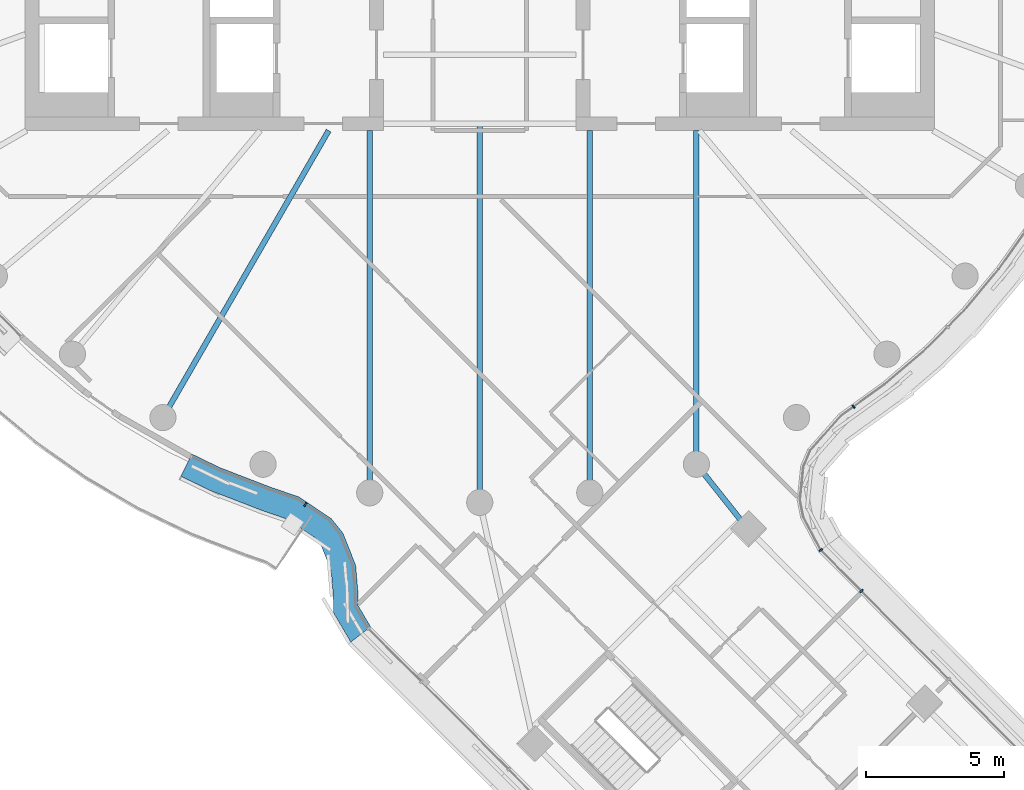
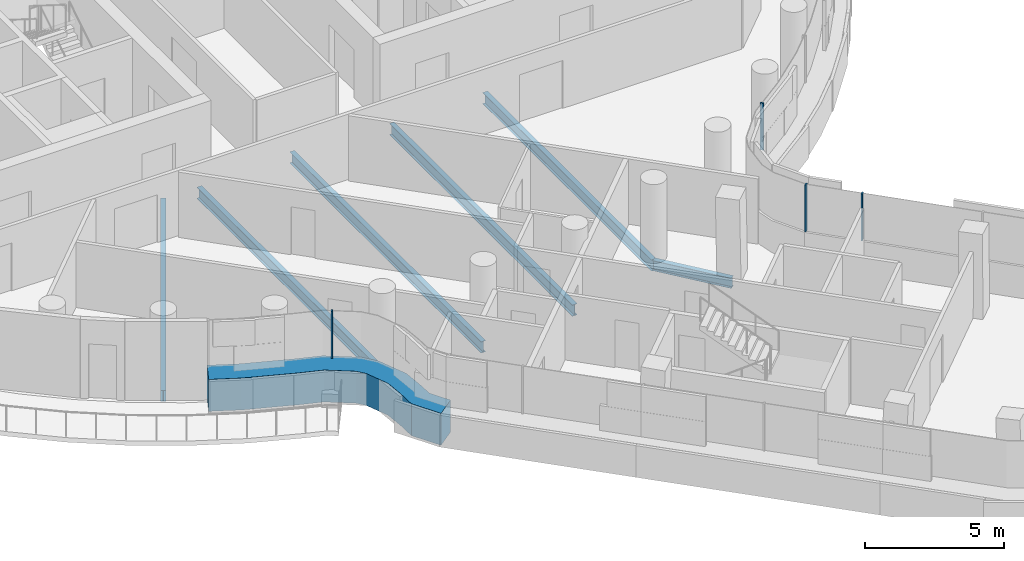
# One storey, part 6 of 31: 6 beams, 5 members, 3 elements without a shape of their own.
"""IFC4 building model written with IfcOpenShell, lengths in metres."""

import ifcopenshell
import ifcopenshell.guid

model = None  # the IFC model being written
_history = None  # IfcOwnerHistory: only IFC2X3 demands one
_inside = {}  # id of a spatial element -> (the spatial element, [elements in it])
_under = {}  # id of a project, library or spatial element -> (it, [spatial elements below it])
_declared = {}  # id of a project -> (the project, [libraries it declares])
_typed = {}  # id of a type object -> (the type object, [elements of that type])
_made_of = {}  # id of a material, layer set ... -> (it, [elements and type objects made of it])


def new_model(schema):
    """Start an empty IFC model of exactly this schema.

    Asked for "IFC4X3", IfcOpenShell would pick the latest addendum, in which some entities
    have other attributes; the version numbers below select the first issue.
    IFC2X3 requires an IfcOwnerHistory on every rooted entity: one is made here for all.
    """
    global model, _history
    if schema == "IFC4X3":
        model = ifcopenshell.file(schema_version=(4, 3, 0, 0))
    else:
        model = ifcopenshell.file(schema=schema)
    _inside.clear()
    _under.clear()
    _declared.clear()
    _typed.clear()
    _made_of.clear()
    _history = None
    if model.schema == "IFC2X3":
        org = make("IfcOrganization", Name="unknown")
        user = make(
            "IfcPersonAndOrganization",
            ThePerson=make("IfcPerson", FamilyName="unknown"),
            TheOrganization=org,
        )
        app = make(
            "IfcApplication",
            ApplicationDeveloper=org,
            Version="unknown",
            ApplicationFullName="unknown",
            ApplicationIdentifier="unknown",
        )
        _history = make(
            "IfcOwnerHistory",
            OwningUser=user,
            OwningApplication=app,
            ChangeAction="ADDED",
            CreationDate=0,
        )
    return model


def make(cls, **values):
    """One entity of the class cls with the attributes given. An attribute that is None is left unset."""
    return model.create_entity(
        cls, **{name: value for name, value in values.items() if value is not None}
    )


def rooted(cls, **values):
    """An entity with a GlobalId (a new one), such as an element, a storey or a relation."""
    return make(cls, GlobalId=ifcopenshell.guid.new(), OwnerHistory=_history, **values)


def si_unit(unit_type, name, prefix=None):
    """IfcSIUnit, for example si_unit("LENGTHUNIT", "METRE", prefix="MILLI")."""
    return make("IfcSIUnit", UnitType=unit_type, Prefix=prefix, Name=name)


def assignment(units):
    """IfcUnitAssignment: the units of a project."""
    return None if units is None else make("IfcUnitAssignment", Units=units)


def point(xyz):
    """IfcCartesianPoint."""
    return None if xyz is None else make("IfcCartesianPoint", Coordinates=xyz)


def direction(xyz):
    """IfcDirection."""
    return None if xyz is None else make("IfcDirection", DirectionRatios=xyz)


def frame(location, z_axis=None, x_axis=None):
    """IfcAxis2Placement3D, a coordinate frame: its origin and axes. An axis left out is left unset."""
    return make(
        "IfcAxis2Placement3D",
        Location=point(location),
        Axis=direction(z_axis),
        RefDirection=direction(x_axis),
    )


def frame_2d(location, x_axis=None):
    """IfcAxis2Placement2D, a coordinate frame in the plane: its origin and x axis."""
    return make(
        "IfcAxis2Placement2D", Location=point(location), RefDirection=direction(x_axis)
    )


def origin():
    """The frame at (0, 0, 0) with its axes left unset."""
    return frame((0.0, 0.0, 0.0))


def origin_2d():
    """The frame at (0, 0) in the plane with its x axis left unset."""
    return frame_2d((0.0, 0.0))


def place(relative_to, where):
    """IfcLocalPlacement: puts the frame where relative to a parent placement (None: the world)."""
    return make(
        "IfcLocalPlacement", PlacementRelTo=relative_to, RelativePlacement=where
    )


def context(
    kind, dimensions, precision=None, world=None, true_north=None, identifier=None
):
    """IfcGeometricRepresentationContext, for example the 3D "Model" context."""
    return make(
        "IfcGeometricRepresentationContext",
        ContextIdentifier=identifier,
        ContextType=kind,
        CoordinateSpaceDimension=dimensions,
        Precision=precision,
        WorldCoordinateSystem=world,
        TrueNorth=true_north,
    )


def subcontext(parent, identifier, kind, view, scale=None):
    """IfcGeometricRepresentationSubContext, for example "Body" below "Model"."""
    return make(
        "IfcGeometricRepresentationSubContext",
        ContextIdentifier=identifier,
        ContextType=kind,
        ParentContext=parent,
        TargetScale=scale,
        TargetView=view,
    )


def project(units=None, contexts=None):
    """IfcProject with its units and contexts."""
    return rooted(
        "IfcProject",
        Name="project",
        RepresentationContexts=contexts,
        UnitsInContext=assignment(units),
    )


def spatial(cls, under=None, at=None, **own):
    """A site, building, storey or space (cls), placed at a placement, below another one or the project."""
    s = rooted(cls, ObjectPlacement=at, **own)
    if under is not None:
        _under.setdefault(under.id(), (under, []))[1].append(s)
    return s


def polyline(points):
    """IfcPolyline through the points."""
    return make("IfcPolyline", Points=[point(p) for p in points])


def profile(cls, at=None, kind="AREA", **sizes):
    """A parametric profile (cls). Its sizes go by their IFC names, for example OverallWidth=200.0."""
    return make(cls, ProfileType=kind, Position=at, **sizes)


def rectangle(**sizes):
    """IfcRectangleProfileDef."""
    return profile("IfcRectangleProfileDef", **sizes)


def i_section(**sizes):
    """IfcIShapeProfileDef."""
    return profile("IfcIShapeProfileDef", **sizes)


def outline(outer, holes=None, kind="AREA"):
    """IfcArbitraryClosedProfileDef: a profile drawn as a closed curve; with holes, ...WithVoids."""
    if holes is None:
        return make("IfcArbitraryClosedProfileDef", ProfileType=kind, OuterCurve=outer)
    return make(
        "IfcArbitraryProfileDefWithVoids",
        ProfileType=kind,
        OuterCurve=outer,
        InnerCurves=holes,
    )


def extrude(swept, where, along, depth):
    """IfcExtrudedAreaSolid: the profile swept, set in the frame where, extruded along a direction by depth."""
    return make(
        "IfcExtrudedAreaSolid",
        SweptArea=swept,
        Position=where,
        ExtrudedDirection=direction(along),
        Depth=depth,
    )


def shape(context_of_items, identifier, shape_type, items):
    """IfcShapeRepresentation: the items that make up one representation, for example the "Body"."""
    return make(
        "IfcShapeRepresentation",
        ContextOfItems=context_of_items,
        RepresentationIdentifier=identifier,
        RepresentationType=shape_type,
        Items=items,
    )


def material(Name=None, Category=None):
    """IfcMaterial."""
    return make("IfcMaterial", Name=Name, Category=Category)


def layer(
    of_material, thickness, ventilated=None, Name=None, Category=None, Priority=None
):
    """IfcMaterialLayer: one layer of a wall or slab, of a material (None: an air gap)."""
    return make(
        "IfcMaterialLayer",
        Material=of_material,
        LayerThickness=thickness,
        IsVentilated=ventilated,
        Name=Name,
        Category=Category,
        Priority=Priority,
    )


def layer_set(layers, Name=None):
    """IfcMaterialLayerSet."""
    return make("IfcMaterialLayerSet", MaterialLayers=layers, LayerSetName=Name)


def material_profile(
    of_material, cross_section, Name=None, Category=None, Priority=None
):
    """IfcMaterialProfile: a cross section and its material."""
    return make(
        "IfcMaterialProfile",
        Name=Name,
        Material=of_material,
        Profile=cross_section,
        Priority=Priority,
        Category=Category,
    )


def profile_set(profiles, Name=None, composite=None):
    """IfcMaterialProfileSet."""
    return make(
        "IfcMaterialProfileSet",
        Name=Name,
        MaterialProfiles=profiles,
        CompositeProfile=composite,
    )


def made_of(thing, what):
    """Note that an element or type object is made of a material, layer set ...; save() writes the relation."""
    if what is not None:
        _made_of.setdefault(what.id(), (what, []))[1].append(thing)
    return thing


def type_object(cls, material=None, **own):
    """A type object (cls), such as IfcWallType, which elements share."""
    return made_of(rooted(cls, **own), material)


def element(
    cls,
    number,
    at=None,
    inside=None,
    cuts=None,
    type_object=None,
    material=None,
    context=None,
    identifier="Body",
    shape_type=None,
    held_by="IfcProductDefinitionShape",
    body=None,
    shapes=None,
    **own,
):
    """One element of the class cls, such as IfcWall. Its Tag is "e" and its number.

    at: its placement. inside: the storey or other place that contains it. cuts: it is an
    opening in that element (IfcRelVoidsElement). A single representation is given by context,
    identifier, shape_type and body (its items); several are given by shapes. held_by: the class
    of the entity that holds the representations. save() writes the other relations.
    """
    e = rooted(cls, Tag="e%d" % number, ObjectPlacement=at, **own)
    if body is not None:
        shapes = [shape(context, identifier, shape_type, body)]
    if shapes is not None:
        e.Representation = make(held_by, Representations=shapes)
    if inside is not None:
        _inside.setdefault(inside.id(), (inside, []))[1].append(e)
    if cuts is not None:
        rooted(
            "IfcRelVoidsElement", RelatingBuildingElement=cuts, RelatedOpeningElement=e
        )
    if type_object is not None:
        _typed.setdefault(type_object.id(), (type_object, []))[1].append(e)
    return made_of(e, material)


def aggregate(whole, parts):
    """IfcRelAggregates: a whole, such as a stair, and the parts it consists of."""
    return rooted("IfcRelAggregates", RelatingObject=whole, RelatedObjects=parts)


def save(model, path):
    """Write the relations noted so far, then the file.

    IfcRelAggregates (storeys below a building ...), IfcRelContainedInSpatialStructure (elements
    in a storey), IfcRelDefinesByType, IfcRelAssociatesMaterial and IfcRelDeclares: one each for
    every whole, place, type object, material and project.
    """
    for whole, parts in _under.values():
        aggregate(whole, parts)
    for where, things in _inside.values():
        rooted(
            "IfcRelContainedInSpatialStructure",
            RelatedElements=things,
            RelatingStructure=where,
        )
    for kind, things in _typed.values():
        rooted("IfcRelDefinesByType", RelatedObjects=things, RelatingType=kind)
    for what, things in _made_of.values():
        rooted("IfcRelAssociatesMaterial", RelatedObjects=things, RelatingMaterial=what)
    for by, libraries in _declared.values():
        rooted("IfcRelDeclares", RelatingContext=by, RelatedDefinitions=libraries)
    model.write(path)


model = new_model("IFC4")

# Units and contexts
model_context = context("Model", 3, precision=1e-05, world=origin(), true_north=direction((0.0, 1.0)))
body_context = subcontext(model_context, "Body", "Model", "MODEL_VIEW")
ifc_project = project(units=[si_unit("LENGTHUNIT", "METRE"), si_unit("AREAUNIT", "SQUARE_METRE"), si_unit("VOLUMEUNIT", "CUBIC_METRE"), si_unit("PLANEANGLEUNIT", "RADIAN"), si_unit("MASSUNIT", "GRAM", prefix="KILO")], contexts=[model_context])

# Site, building, storey
site_placement = place(None, origin())
site = spatial("IfcSite", under=ifc_project, at=site_placement, CompositionType="ELEMENT")
building_placement = place(site_placement, origin())
building = spatial("IfcBuilding", under=site, at=building_placement, Name="Tamarind Cross Interchange Tower", CompositionType="ELEMENT")
storey_placement = place(building_placement, frame((0.0, 0.0, 196.89990234375)))
storey = spatial("IfcBuildingStorey", under=building, at=storey_placement, Name="L49", CompositionType="ELEMENT", Elevation=196.89990234375)

# Beams
ifc_material_1 = material(Name="Steel Q355B", Category="steel")
ifc_material_profile_1 = material_profile(ifc_material_1, i_section(OverallWidth=0.198974609375, OverallDepth=0.446044921875, WebThickness=0.008056640625, FlangeThickness=0.011962890625, FilletRadius=0.012939453125, at=origin_2d()), Name="HN 446x199x8x12")
ifc_profile_set_1 = profile_set([ifc_material_profile_1], Name="Steel Q355B")
beam_type_1 = type_object("IfcBeamType", Name="Composite beam HN 446x199x8x12 Q355B", PredefinedType="BEAM", material=ifc_profile_set_1)
beam_1_placement = place(storey_placement, frame((9.755615234375, -23.992431640625, -0.36279296875), z_axis=(-0.621809669595, 0.783168394918, 0.0), x_axis=(-0.783168394918, -0.621809669595, 0.0)))
element("IfcBeam", 1, at=beam_1_placement, inside=storey, type_object=beam_type_1, Name="Beam S-linkep", PredefinedType="BEAM", context=body_context, shape_type="SweptSolid", body=[
    extrude(i_section(OverallWidth=0.198974609375, OverallDepth=0.446044921875, WebThickness=0.008056640625, FlangeThickness=0.011962890625, FilletRadius=0.012939453125, at=origin_2d()), origin(), (0.0, 0.0, 1.0), 3.0380859375),
])
ifc_material_profile_2 = material_profile(ifc_material_1, i_section(OverallWidth=0.198974609375, OverallDepth=0.49609375, WebThickness=0.009033203125, FlangeThickness=0.013916015625, FilletRadius=0.012939453125, at=origin_2d()), Name="HN 496x199x9x14")
ifc_profile_set_2 = profile_set([ifc_material_profile_2], Name="Steel Q355B")
beam_type_2 = type_object("IfcBeamType", Name="Composite beam HN 496x199x9x14 Q355B", PredefinedType="BEAM", material=ifc_profile_set_2)
beam_2_placement = place(storey_placement, frame((-11.5, -19.918701171875, -0.387939453125), z_axis=(0.499993565836, 0.866029118519, 0.0), x_axis=(-0.866029118519, 0.499993565836, 0.0)))
element("IfcBeam", 2, at=beam_2_placement, inside=storey, type_object=beam_type_2, Name="Beam HH24", PredefinedType="BEAM", context=body_context, shape_type="SweptSolid", body=[
    extrude(i_section(OverallWidth=0.198974609375, OverallDepth=0.49609375, WebThickness=0.009033203125, FlangeThickness=0.013916015625, FilletRadius=0.012939453125, at=origin_2d()), origin(), (0.0, 0.0, 1.0), 12.030517578125),
])
beam_3_placement = place(storey_placement, frame((-3.993896484375, -22.650634765625, -0.387939453125), z_axis=(0.0, 1.0, 0.0), x_axis=(-1.0, 0.0, 0.0)))
element("IfcBeam", 3, at=beam_3_placement, inside=storey, type_object=beam_type_2, Name="Beam HH26", PredefinedType="BEAM", context=body_context, shape_type="SweptSolid", body=[
    extrude(i_section(OverallWidth=0.198974609375, OverallDepth=0.49609375, WebThickness=0.009033203125, FlangeThickness=0.013916015625, FilletRadius=0.012939453125, at=origin_2d()), origin(), (0.0, 0.0, 1.0), 13.150634765625),
])
beam_4_placement = place(storey_placement, frame((0.0, -23.0, -0.387939453125), z_axis=(0.0, 1.0, 0.0), x_axis=(-1.0, 0.0, 0.0)))
element("IfcBeam", 4, at=beam_4_placement, inside=storey, type_object=beam_type_2, Name="Beam HH27", PredefinedType="BEAM", context=body_context, shape_type="SweptSolid", body=[
    extrude(i_section(OverallWidth=0.198974609375, OverallDepth=0.49609375, WebThickness=0.009033203125, FlangeThickness=0.013916015625, FilletRadius=0.012939453125, at=origin_2d()), origin(), (0.0, 0.0, 1.0), 13.75),
])
beam_5_placement = place(storey_placement, frame((3.993896484375, -22.650634765625, -0.387939453125), z_axis=(0.0, 1.0, 0.0), x_axis=(-1.0, 0.0, 0.0)))
element("IfcBeam", 5, at=beam_5_placement, inside=storey, type_object=beam_type_2, Name="Beam HH28", PredefinedType="BEAM", context=body_context, shape_type="SweptSolid", body=[
    extrude(i_section(OverallWidth=0.198974609375, OverallDepth=0.49609375, WebThickness=0.009033203125, FlangeThickness=0.013916015625, FilletRadius=0.012939453125, at=origin_2d()), origin(), (0.0, 0.0, 1.0), 13.150634765625),
])
beam_6_placement = place(storey_placement, frame((7.866455078125, -21.613037109375, -0.387939453125), z_axis=(0.0, 1.0, 0.0), x_axis=(-1.0, 0.0, 0.0)))
element("IfcBeam", 6, at=beam_6_placement, inside=storey, type_object=beam_type_2, Name="Beam HH29", PredefinedType="BEAM", context=body_context, shape_type="SweptSolid", body=[
    extrude(i_section(OverallWidth=0.198974609375, OverallDepth=0.49609375, WebThickness=0.009033203125, FlangeThickness=0.013916015625, FilletRadius=0.012939453125, at=origin_2d()), origin(), (0.0, 0.0, 1.0), 12.113037109375),
])

# Curtain wall, member
ifc_material_2 = material(Name="Aluminium 6063-T6", Category="aluminium")
ifc_layer = layer(ifc_material_2, 0.139892578125)
ifc_layer_set = layer_set([ifc_layer], Name="Aluminium 6063-T6")
curtain_wall_type = type_object("IfcCurtainWallType", Name="Hotel curtain wall, 4.5 m bays", PredefinedType="NOTDEFINED", material=ifc_layer_set)
curtain_wall_1_placement = place(storey_placement, origin())
curtain_wall_1 = element("IfcCurtainWall", 7, at=curtain_wall_1_placement, inside=storey, type_object=curtain_wall_type, Name="CWS-L49-10", PredefinedType="NOTDEFINED")
ifc_material_3 = material(Name="Aluminium and insulated spandrel panel", Category="aluminium")
member_type_1 = type_object("IfcMemberType", Name="Floor-edge blade transom", PredefinedType="USERDEFINED", material=ifc_material_3)
member_1_placement = place(storey_placement, origin())
member_1 = element("IfcMember", 8, at=member_1_placement, type_object=member_type_1, Name="CWT-L49-10-1", ObjectType="TRANSOM", PredefinedType="USERDEFINED", context=body_context, shape_type="SweptSolid", body=[
    extrude(outline(polyline([(-10.451416015625, -21.244384765625), (-9.425048828125, -21.74072265625), (-7.5908203125, -22.447265625), (-6.5634765625, -22.80126953125), (-5.392578125, -23.5859375), (-4.971435546875, -24.107421875), (-4.505126953125, -25.280517578125), (-4.42578125, -26.212890625), (-4.410400390625, -26.754150390625), (-3.962890625, -27.51416015625), (-4.6806640625, -28.069091796875), (-5.3037109375, -27.01123046875), (-5.32470703125, -26.263671875), (-5.390625, -25.489501953125), (-5.75732421875, -24.566650390625), (-6.007080078125, -24.257568359375), (-6.96728515625, -23.614013671875), (-7.8994140625, -23.29296875), (-9.783203125, -22.567138671875), (-10.848876953125, -22.0517578125), (-10.451416015625, -21.244384765625)])), origin(), (0.0, 0.0, 1.0), 1.400146484375),
])

curtain_wall_2_placement = place(storey_placement, origin())
curtain_wall_2 = element("IfcCurtainWall", 9, at=curtain_wall_2_placement, inside=storey, type_object=curtain_wall_type, Name="CWS-L49-01", PredefinedType="NOTDEFINED")
ifc_material_profile_3 = material_profile(ifc_material_2, rectangle(XDim=0.06005859375, YDim=0.139892578125, at=origin_2d()), Name="Mullion CW2")
ifc_profile_set_3 = profile_set([ifc_material_profile_3], Name="Aluminium 6063-T6")
member_type_2 = type_object("IfcMemberType", Name="Mullion CW2", PredefinedType="MULLION", material=ifc_profile_set_3)
member_2_placement = place(storey_placement, frame((13.85791015625, -26.214599609375, 1.400146484375), z_axis=(0.0, 0.0, 1.0), x_axis=(-0.703443968525, 0.710750718006, 0.0)))
member_2 = element("IfcMember", 10, at=member_2_placement, type_object=member_type_2, Name="CWM-L49-01-02", PredefinedType="MULLION", context=body_context, shape_type="SweptSolid", body=[
    extrude(rectangle(XDim=0.06005859375, YDim=0.139892578125, at=origin_2d()), origin(), (0.0, 0.0, 1.0), 2.06005859375),
])
aggregate(curtain_wall_2, [member_2])

# Curtain wall, members
curtain_wall_3_placement = place(storey_placement, origin())
curtain_wall_3 = element("IfcCurtainWall", 11, at=curtain_wall_3_placement, inside=storey, type_object=curtain_wall_type, Name="CWS-L49-02", PredefinedType="NOTDEFINED")
member_3_placement = place(storey_placement, frame((12.384033203125, -24.7255859375, 1.400146484375), z_axis=(0.0, 0.0, 1.0), x_axis=(-0.592498027044, 0.805571901167, 0.0)))
member_3 = element("IfcMember", 12, at=member_3_placement, type_object=member_type_2, Name="CWM-L49-02-00", PredefinedType="MULLION", context=body_context, shape_type="SweptSolid", body=[
    extrude(rectangle(XDim=0.06005859375, YDim=0.139892578125, at=origin_2d()), origin(), (0.0, 0.0, 1.0), 2.06005859375),
])
member_4_placement = place(storey_placement, frame((13.570068359375, -19.526611328125, 1.400146484375), z_axis=(0.0, 0.0, 1.0), x_axis=(0.811294273423, 0.584638009293, 0.0)))
member_4 = element("IfcMember", 13, at=member_4_placement, type_object=member_type_2, Name="CWM-L49-02-01", PredefinedType="MULLION", context=body_context, shape_type="SweptSolid", body=[
    extrude(rectangle(XDim=0.06005859375, YDim=0.139892578125, at=origin_2d()), origin(), (0.0, 0.0, 1.0), 2.06005859375),
])
aggregate(curtain_wall_3, [member_3, member_4])

# Member
member_5_placement = place(storey_placement, frame((-6.330810546875, -23.07763671875, 1.400146484375), z_axis=(0.0, 0.0, 1.0), x_axis=(0.830711967262, -0.556702458632, 0.0)))
member_5 = element("IfcMember", 14, at=member_5_placement, type_object=member_type_2, Name="CWM-L49-10-04", PredefinedType="MULLION", context=body_context, shape_type="SweptSolid", body=[
    extrude(rectangle(XDim=0.06005859375, YDim=0.139892578125, at=origin_2d()), origin(), (0.0, 0.0, 1.0), 2.06005859375),
])

aggregate(curtain_wall_1, [member_5, member_1])

save(model, "model.ifc")
